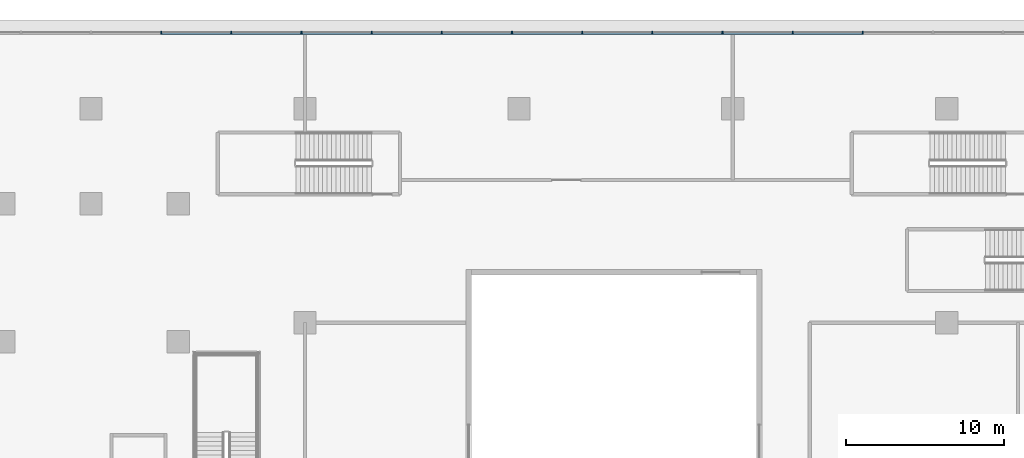
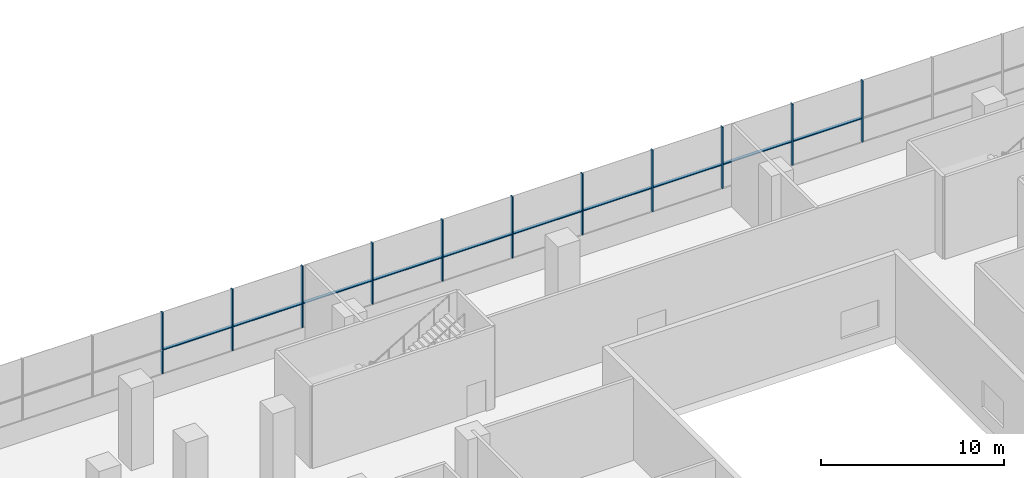
# One storey, part 16 of 52: 21 members, 1 element without a shape of its own.
"""IFC4 building model written with IfcOpenShell, lengths in metres."""

from ifc_helpers import new_model, si_unit, direction, frame, origin, origin_2d, place, context, subcontext, project, spatial, polyline, rectangle, outline, extrude, material, layer, layer_set, material_profile, profile_set, type_object, element, aggregate, save


model = new_model("IFC4")

# Units and contexts
model_context = context("Model", 3, precision=1e-05, world=origin(), true_north=direction((0.0, 1.0)))
body_context = subcontext(model_context, "Body", "Model", "MODEL_VIEW")
ifc_project = project(units=[si_unit("LENGTHUNIT", "METRE"), si_unit("AREAUNIT", "SQUARE_METRE"), si_unit("VOLUMEUNIT", "CUBIC_METRE"), si_unit("PLANEANGLEUNIT", "RADIAN"), si_unit("MASSUNIT", "GRAM", prefix="KILO")], contexts=[model_context])

# Site, building, storey
site_placement = place(None, origin())
site = spatial("IfcSite", under=ifc_project, at=site_placement, CompositionType="ELEMENT")
building_placement = place(site_placement, origin())
building = spatial("IfcBuilding", under=site, at=building_placement, Name="Tamarind Cross Interchange Tower", CompositionType="ELEMENT")
storey_placement = place(building_placement, frame((0.0, 0.0, 9.0)))
storey = spatial("IfcBuildingStorey", under=building, at=storey_placement, Name="L01", CompositionType="ELEMENT", Elevation=9.0)

# Curtain wall, members
ifc_material = material(Name="Aluminium 6063-T6", Category="aluminium")
ifc_layer = layer(ifc_material, 0.199951171875)
ifc_layer_set = layer_set([ifc_layer], Name="Aluminium 6063-T6")
curtain_wall_type = type_object("IfcCurtainWallType", Name="Podium shopfront and station curtain wall", PredefinedType="NOTDEFINED", material=ifc_layer_set)
curtain_wall_placement = place(storey_placement, origin())
curtain_wall = element("IfcCurtainWall", 1, at=curtain_wall_placement, inside=storey, type_object=curtain_wall_type, Name="CWS-L01-02", PredefinedType="NOTDEFINED")
ifc_material_profile = material_profile(ifc_material, rectangle(XDim=0.080078125, YDim=0.199951171875, at=origin_2d()), Name="Mullion CW3")
ifc_profile_set = profile_set([ifc_material_profile], Name="Aluminium 6063-T6")
member_type_1 = type_object("IfcMemberType", Name="Mullion CW3", PredefinedType="MULLION", material=ifc_profile_set)
member_1_placement = place(storey_placement, frame((48.701904296875, 58.800048828125, 1.39990234375), z_axis=(0.0, 0.0, 1.0), x_axis=(-1.0, 0.0, 0.0)))
member_1 = element("IfcMember", 2, at=member_1_placement, type_object=member_type_1, Name="CWM-L01-02-03", PredefinedType="MULLION", context=body_context, shape_type="SweptSolid", body=[
    extrude(rectangle(XDim=0.080078125, YDim=0.199951171875, at=origin_2d()), origin(), (0.0, 0.0, 1.0), 4.10009765625),
])
member_2_placement = place(storey_placement, frame((44.2744140625, 58.800048828125, 1.39990234375), z_axis=(0.0, 0.0, 1.0), x_axis=(-1.0, 0.0, 0.0)))
member_2 = element("IfcMember", 3, at=member_2_placement, type_object=member_type_1, Name="CWM-L01-02-04", PredefinedType="MULLION", context=body_context, shape_type="SweptSolid", body=[
    extrude(rectangle(XDim=0.080078125, YDim=0.199951171875, at=origin_2d()), origin(), (0.0, 0.0, 1.0), 4.10009765625),
])
member_3_placement = place(storey_placement, frame((39.846923828125, 58.800048828125, 1.39990234375), z_axis=(0.0, 0.0, 1.0), x_axis=(-1.0, 0.0, 0.0)))
member_3 = element("IfcMember", 4, at=member_3_placement, type_object=member_type_1, Name="CWM-L01-02-05", PredefinedType="MULLION", context=body_context, shape_type="SweptSolid", body=[
    extrude(rectangle(XDim=0.080078125, YDim=0.199951171875, at=origin_2d()), origin(), (0.0, 0.0, 1.0), 4.10009765625),
])
member_4_placement = place(storey_placement, frame((35.419677734375, 58.800048828125, 1.39990234375), z_axis=(0.0, 0.0, 1.0), x_axis=(-1.0, 0.0, 0.0)))
member_4 = element("IfcMember", 5, at=member_4_placement, type_object=member_type_1, Name="CWM-L01-02-06", PredefinedType="MULLION", context=body_context, shape_type="SweptSolid", body=[
    extrude(rectangle(XDim=0.080078125, YDim=0.199951171875, at=origin_2d()), origin(), (0.0, 0.0, 1.0), 4.10009765625),
])
member_5_placement = place(storey_placement, frame((30.9921875, 58.800048828125, 1.39990234375), z_axis=(0.0, 0.0, 1.0), x_axis=(-1.0, 0.0, 0.0)))
member_5 = element("IfcMember", 6, at=member_5_placement, type_object=member_type_1, Name="CWM-L01-02-07", PredefinedType="MULLION", context=body_context, shape_type="SweptSolid", body=[
    extrude(rectangle(XDim=0.080078125, YDim=0.199951171875, at=origin_2d()), origin(), (0.0, 0.0, 1.0), 4.10009765625),
])
member_6_placement = place(storey_placement, frame((26.564697265625, 58.800048828125, 1.39990234375), z_axis=(0.0, 0.0, 1.0), x_axis=(-1.0, 0.0, 0.0)))
member_6 = element("IfcMember", 7, at=member_6_placement, type_object=member_type_1, Name="CWM-L01-02-08", PredefinedType="MULLION", context=body_context, shape_type="SweptSolid", body=[
    extrude(rectangle(XDim=0.080078125, YDim=0.199951171875, at=origin_2d()), origin(), (0.0, 0.0, 1.0), 4.10009765625),
])
member_7_placement = place(storey_placement, frame((22.13720703125, 58.800048828125, 1.39990234375), z_axis=(0.0, 0.0, 1.0), x_axis=(-1.0, 0.0, 0.0)))
member_7 = element("IfcMember", 8, at=member_7_placement, type_object=member_type_1, Name="CWM-L01-02-09", PredefinedType="MULLION", context=body_context, shape_type="SweptSolid", body=[
    extrude(rectangle(XDim=0.080078125, YDim=0.199951171875, at=origin_2d()), origin(), (0.0, 0.0, 1.0), 4.10009765625),
])
member_8_placement = place(storey_placement, frame((17.709716796875, 58.800048828125, 1.39990234375), z_axis=(0.0, 0.0, 1.0), x_axis=(-1.0, 0.0, 0.0)))
member_8 = element("IfcMember", 9, at=member_8_placement, type_object=member_type_1, Name="CWM-L01-02-10", PredefinedType="MULLION", context=body_context, shape_type="SweptSolid", body=[
    extrude(rectangle(XDim=0.080078125, YDim=0.199951171875, at=origin_2d()), origin(), (0.0, 0.0, 1.0), 4.10009765625),
])
member_9_placement = place(storey_placement, frame((13.2822265625, 58.800048828125, 1.39990234375), z_axis=(0.0, 0.0, 1.0), x_axis=(-1.0, 0.0, 0.0)))
member_9 = element("IfcMember", 10, at=member_9_placement, type_object=member_type_1, Name="CWM-L01-02-11", PredefinedType="MULLION", context=body_context, shape_type="SweptSolid", body=[
    extrude(rectangle(XDim=0.080078125, YDim=0.199951171875, at=origin_2d()), origin(), (0.0, 0.0, 1.0), 4.10009765625),
])
member_10_placement = place(storey_placement, frame((8.85498046875, 58.800048828125, 1.39990234375), z_axis=(0.0, 0.0, 1.0), x_axis=(-1.0, 0.0, 0.0)))
member_10 = element("IfcMember", 11, at=member_10_placement, type_object=member_type_1, Name="CWM-L01-02-12", PredefinedType="MULLION", context=body_context, shape_type="SweptSolid", body=[
    extrude(rectangle(XDim=0.080078125, YDim=0.199951171875, at=origin_2d()), origin(), (0.0, 0.0, 1.0), 4.10009765625),
])
member_11_placement = place(storey_placement, frame((4.427490234375, 58.800048828125, 1.39990234375), z_axis=(0.0, 0.0, 1.0), x_axis=(-1.0, 0.0, 0.0)))
member_11 = element("IfcMember", 12, at=member_11_placement, type_object=member_type_1, Name="CWM-L01-02-13", PredefinedType="MULLION", context=body_context, shape_type="SweptSolid", body=[
    extrude(rectangle(XDim=0.080078125, YDim=0.199951171875, at=origin_2d()), origin(), (0.0, 0.0, 1.0), 4.10009765625),
])
member_type_2 = type_object("IfcMemberType", Name="Podium intermediate transom", PredefinedType="USERDEFINED", material=ifc_material)
member_12_placement = place(storey_placement, frame((0.0, 0.0, 2.969970703125)))
member_12 = element("IfcMember", 13, at=member_12_placement, type_object=member_type_2, Name="CWT-L01-02-I0-03", ObjectType="TRANSOM", PredefinedType="USERDEFINED", context=body_context, shape_type="SweptSolid", body=[
    extrude(outline(polyline([(48.661865234375, 58.699951171875), (44.314453125, 58.699951171875), (44.314453125, 58.89990234375), (48.661865234375, 58.89990234375), (48.661865234375, 58.699951171875)])), origin(), (0.0, 0.0, 1.0), 0.06005859375),
])
member_13_placement = place(storey_placement, frame((0.0, 0.0, 2.969970703125)))
member_13 = element("IfcMember", 14, at=member_13_placement, type_object=member_type_2, Name="CWT-L01-02-I0-04", ObjectType="TRANSOM", PredefinedType="USERDEFINED", context=body_context, shape_type="SweptSolid", body=[
    extrude(outline(polyline([(44.234375, 58.699951171875), (39.886962890625, 58.699951171875), (39.886962890625, 58.89990234375), (44.234375, 58.89990234375), (44.234375, 58.699951171875)])), origin(), (0.0, 0.0, 1.0), 0.06005859375),
])
member_14_placement = place(storey_placement, frame((0.0, 0.0, 2.969970703125)))
member_14 = element("IfcMember", 15, at=member_14_placement, type_object=member_type_2, Name="CWT-L01-02-I0-05", ObjectType="TRANSOM", PredefinedType="USERDEFINED", context=body_context, shape_type="SweptSolid", body=[
    extrude(outline(polyline([(39.80712890625, 58.699951171875), (35.45947265625, 58.699951171875), (35.45947265625, 58.89990234375), (39.80712890625, 58.89990234375), (39.80712890625, 58.699951171875)])), origin(), (0.0, 0.0, 1.0), 0.06005859375),
])
member_15_placement = place(storey_placement, frame((0.0, 0.0, 2.969970703125)))
member_15 = element("IfcMember", 16, at=member_15_placement, type_object=member_type_2, Name="CWT-L01-02-I0-06", ObjectType="TRANSOM", PredefinedType="USERDEFINED", context=body_context, shape_type="SweptSolid", body=[
    extrude(outline(polyline([(35.379638671875, 58.699951171875), (31.0322265625, 58.699951171875), (31.0322265625, 58.89990234375), (35.379638671875, 58.89990234375), (35.379638671875, 58.699951171875)])), origin(), (0.0, 0.0, 1.0), 0.06005859375),
])
member_16_placement = place(storey_placement, frame((0.0, 0.0, 2.969970703125)))
member_16 = element("IfcMember", 17, at=member_16_placement, type_object=member_type_2, Name="CWT-L01-02-I0-07", ObjectType="TRANSOM", PredefinedType="USERDEFINED", context=body_context, shape_type="SweptSolid", body=[
    extrude(outline(polyline([(30.9521484375, 58.699951171875), (26.604736328125, 58.699951171875), (26.604736328125, 58.89990234375), (30.9521484375, 58.89990234375), (30.9521484375, 58.699951171875)])), origin(), (0.0, 0.0, 1.0), 0.06005859375),
])
member_17_placement = place(storey_placement, frame((0.0, 0.0, 2.969970703125)))
member_17 = element("IfcMember", 18, at=member_17_placement, type_object=member_type_2, Name="CWT-L01-02-I0-08", ObjectType="TRANSOM", PredefinedType="USERDEFINED", context=body_context, shape_type="SweptSolid", body=[
    extrude(outline(polyline([(26.524658203125, 58.699951171875), (22.17724609375, 58.699951171875), (22.17724609375, 58.89990234375), (26.524658203125, 58.89990234375), (26.524658203125, 58.699951171875)])), origin(), (0.0, 0.0, 1.0), 0.06005859375),
])
member_18_placement = place(storey_placement, frame((0.0, 0.0, 2.969970703125)))
member_18 = element("IfcMember", 19, at=member_18_placement, type_object=member_type_2, Name="CWT-L01-02-I0-09", ObjectType="TRANSOM", PredefinedType="USERDEFINED", context=body_context, shape_type="SweptSolid", body=[
    extrude(outline(polyline([(22.09716796875, 58.699951171875), (17.749755859375, 58.699951171875), (17.749755859375, 58.89990234375), (22.09716796875, 58.89990234375), (22.09716796875, 58.699951171875)])), origin(), (0.0, 0.0, 1.0), 0.06005859375),
])
member_19_placement = place(storey_placement, frame((0.0, 0.0, 2.969970703125)))
member_19 = element("IfcMember", 20, at=member_19_placement, type_object=member_type_2, Name="CWT-L01-02-I0-10", ObjectType="TRANSOM", PredefinedType="USERDEFINED", context=body_context, shape_type="SweptSolid", body=[
    extrude(outline(polyline([(17.669677734375, 58.699951171875), (13.322265625, 58.699951171875), (13.322265625, 58.89990234375), (17.669677734375, 58.89990234375), (17.669677734375, 58.699951171875)])), origin(), (0.0, 0.0, 1.0), 0.06005859375),
])
member_20_placement = place(storey_placement, frame((0.0, 0.0, 2.969970703125)))
member_20 = element("IfcMember", 21, at=member_20_placement, type_object=member_type_2, Name="CWT-L01-02-I0-11", ObjectType="TRANSOM", PredefinedType="USERDEFINED", context=body_context, shape_type="SweptSolid", body=[
    extrude(outline(polyline([(13.242431640625, 58.699951171875), (8.894775390625, 58.699951171875), (8.894775390625, 58.89990234375), (13.242431640625, 58.89990234375), (13.242431640625, 58.699951171875)])), origin(), (0.0, 0.0, 1.0), 0.06005859375),
])
member_21_placement = place(storey_placement, frame((0.0, 0.0, 2.969970703125)))
member_21 = element("IfcMember", 22, at=member_21_placement, type_object=member_type_2, Name="CWT-L01-02-I0-12", ObjectType="TRANSOM", PredefinedType="USERDEFINED", context=body_context, shape_type="SweptSolid", body=[
    extrude(outline(polyline([(8.81494140625, 58.699951171875), (4.467529296875, 58.699951171875), (4.467529296875, 58.89990234375), (8.81494140625, 58.89990234375), (8.81494140625, 58.699951171875)])), origin(), (0.0, 0.0, 1.0), 0.06005859375),
])
aggregate(curtain_wall, [member_1, member_2, member_3, member_4, member_5, member_6, member_7, member_8, member_9, member_10, member_11, member_12, member_13, member_14, member_15, member_16, member_17, member_18, member_19, member_20, member_21])

save(model, "model.ifc")
